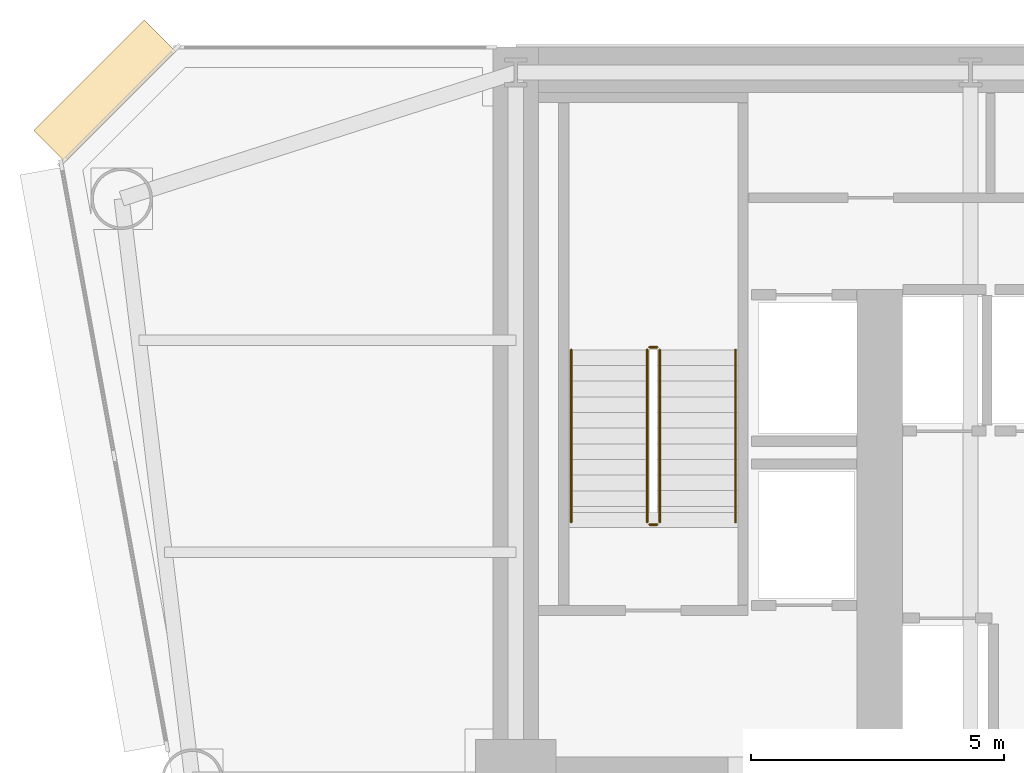
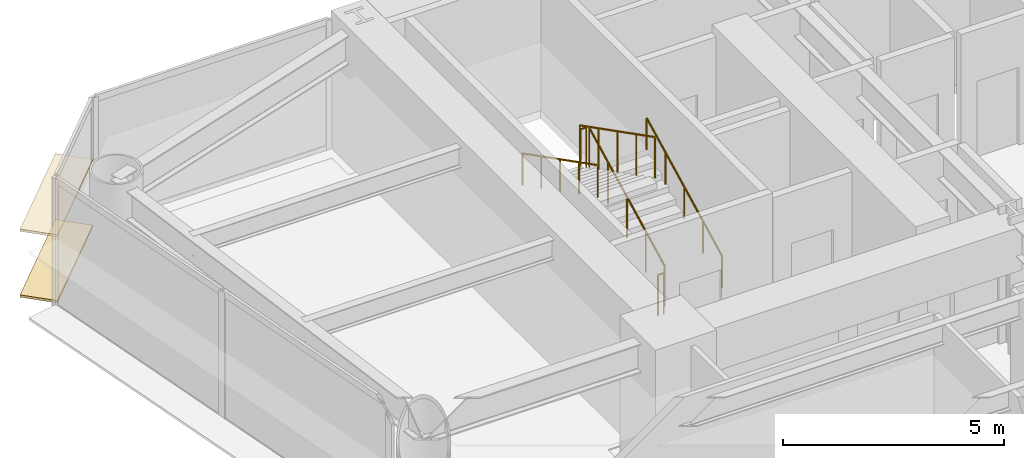
# One storey, part 12 of 14: 6 railings, 2 coverings.
"""IFC4 building model written with IfcOpenShell, lengths in metres."""

from ifc_helpers import new_model, si_unit, direction, frame, origin, origin_2d, place, context, subcontext, project, spatial, rectangle, circle, extrude, source, transform, mapped, material, layer, layer_set, type_object, element, save


model = new_model("IFC4")

# Units and contexts
model_context = context("Model", 3, precision=1e-05, world=origin(), true_north=direction((0.0, 1.0)))
body_context = subcontext(model_context, "Body", "Model", "MODEL_VIEW")
ifc_project = project(units=[si_unit("LENGTHUNIT", "METRE"), si_unit("AREAUNIT", "SQUARE_METRE"), si_unit("VOLUMEUNIT", "CUBIC_METRE"), si_unit("PLANEANGLEUNIT", "RADIAN"), si_unit("MASSUNIT", "GRAM", prefix="KILO")], contexts=[model_context])

# Site, building, storey
site_placement = place(None, origin())
site = spatial("IfcSite", under=ifc_project, at=site_placement, CompositionType="ELEMENT")
building_placement = place(site_placement, origin())
building = spatial("IfcBuilding", under=site, at=building_placement, Name="Vaeldorn Concourse Tower", CompositionType="ELEMENT")
storey_placement = place(building_placement, frame((0.0, 0.0, 22.60009765625)))
storey = spatial("IfcBuildingStorey", under=building, at=storey_placement, Name="L05", CompositionType="ELEMENT", Elevation=22.60009765625)

# Railings
ifc_material = material(Name="Anodised Bronze Aluminium", Category="aluminium")
railing_type_1 = type_object("IfcRailingType", Name="RL-STAIR-GUARD", PredefinedType="GUARDRAIL", material=ifc_material)
railing_1_placement = place(storey_placement, frame((16.85009765625, 41.60009765625, 0.158203125)))
element("IfcRailing", 1, at=railing_1_placement, inside=storey, type_object=railing_type_1, Name="L05 ST-1 stair guard 1", PredefinedType="GUARDRAIL", context=body_context, shape_type="SweptSolid", body=[
    extrude(circle(Radius=0.02392578125, at=origin_2d()), frame((0.0, 0.0, 1.1259765625), z_axis=(0.0, 0.890555807335, 0.454873997962), x_axis=(-1.0, 0.0, 0.0)), (0.0, 0.0, 1.0), 3.828857421875),
    extrude(circle(Radius=0.02099609375, at=origin_2d()), origin(), (0.0, 0.0, 1.0), 1.101806640625),
    extrude(circle(Radius=0.02099609375, at=origin_2d()), frame((0.0, 0.8525390625, 0.435546875)), (0.0, 0.0, 1.0), 1.101806640625),
    extrude(circle(Radius=0.02099609375, at=origin_2d()), frame((0.0, 1.705078125, 0.870849609375)), (0.0, 0.0, 1.0), 1.101806640625),
    extrude(circle(Radius=0.02099609375, at=origin_2d()), frame((0.0, 2.557373046875, 1.30615234375)), (0.0, 0.0, 1.0), 1.101806640625),
    extrude(circle(Radius=0.02099609375, at=origin_2d()), frame((0.0, 3.409912109375, 1.74169921875)), (0.0, 0.0, 1.0), 1.101806640625),
])
railing_2_placement = place(storey_placement, frame((16.800048828125, 45.06005859375, 1.89990234375)))
element("IfcRailing", 2, at=railing_2_placement, inside=storey, type_object=railing_type_1, Name="L05 ST-1 stair guard 2", PredefinedType="GUARDRAIL", context=body_context, shape_type="SweptSolid", body=[
    extrude(circle(Radius=0.02392578125, at=origin_2d()), frame((0.0, 0.0, 1.1259765625), z_axis=(-1.0, 0.0, 0.0), x_axis=(0.0, -1.0, 0.0)), (0.0, 0.0, 1.0), 0.150146484375),
    extrude(circle(Radius=0.02099609375, at=origin_2d()), origin(), (0.0, 0.0, 1.0), 1.101806640625),
    extrude(circle(Radius=0.02099609375, at=origin_2d()), frame((-0.150146484375, 0.0, 0.0)), (0.0, 0.0, 1.0), 1.101806640625),
])
railing_3_placement = place(storey_placement, frame((16.60009765625, 45.010009765625, 2.058349609375)))
element("IfcRailing", 3, at=railing_3_placement, inside=storey, type_object=railing_type_1, Name="L05 ST-1 stair guard 3", PredefinedType="GUARDRAIL", context=body_context, shape_type="SweptSolid", body=[
    extrude(circle(Radius=0.02392578125, at=origin_2d()), frame((0.0, 0.0, 1.1259765625), z_axis=(0.0, -0.890581635807, 0.454823427236), x_axis=(1.0, 0.0, 0.0)), (0.0, 0.0, 1.0), 3.828857421875),
    extrude(circle(Radius=0.02099609375, at=origin_2d()), origin(), (0.0, 0.0, 1.0), 1.101806640625),
    extrude(circle(Radius=0.02099609375, at=origin_2d()), frame((0.0, -0.8525390625, 0.435302734375)), (0.0, 0.0, 1.0), 1.101806640625),
    extrude(circle(Radius=0.02099609375, at=origin_2d()), frame((0.0, -1.705078125, 0.87060546875)), (0.0, 0.0, 1.0), 1.101806640625),
    extrude(circle(Radius=0.02099609375, at=origin_2d()), frame((0.0, -2.557373046875, 1.30615234375)), (0.0, 0.0, 1.0), 1.101806640625),
    extrude(circle(Radius=0.02099609375, at=origin_2d()), frame((0.0, -3.409912109375, 1.741455078125)), (0.0, 0.0, 1.0), 1.101806640625),
])
railing_4_placement = place(storey_placement, frame((16.800048828125, 41.550048828125, 0.0)))
element("IfcRailing", 4, at=railing_4_placement, inside=storey, type_object=railing_type_1, Name="L05 ST-1 stair guard 4", PredefinedType="GUARDRAIL", context=body_context, shape_type="SweptSolid", body=[
    extrude(circle(Radius=0.02392578125, at=origin_2d()), frame((0.0, 0.0, 1.1259765625), z_axis=(-1.0, 0.0, 0.0), x_axis=(0.0, -1.0, 0.0)), (0.0, 0.0, 1.0), 0.150146484375),
    extrude(circle(Radius=0.02099609375, at=origin_2d()), origin(), (0.0, 0.0, 1.0), 1.101806640625),
    extrude(circle(Radius=0.02099609375, at=origin_2d()), frame((-0.150146484375, 0.0, 0.0)), (0.0, 0.0, 1.0), 1.101806640625),
])
railing_type_2 = type_object("IfcRailingType", Name="RL-STAIR-HANDRAIL", PredefinedType="HANDRAIL", material=ifc_material)
railing_5_placement = place(storey_placement, frame((18.35009765625, 41.60009765625, 0.158203125)))
element("IfcRailing", 5, at=railing_5_placement, inside=storey, type_object=railing_type_2, Name="L05 ST-1 stair handrail 1", PredefinedType="HANDRAIL", context=body_context, shape_type="SweptSolid", body=[
    extrude(circle(Radius=0.02392578125, at=origin_2d()), frame((0.0, 0.0, 0.8759765625), z_axis=(0.0, 0.890555807335, 0.454873997962), x_axis=(-1.0, 0.0, 0.0)), (0.0, 0.0, 1.0), 3.828857421875),
    extrude(circle(Radius=0.02099609375, at=origin_2d()), origin(), (0.0, 0.0, 1.0), 0.851806640625),
    extrude(circle(Radius=0.02099609375, at=origin_2d()), frame((0.0, 0.8525390625, 0.435546875)), (0.0, 0.0, 1.0), 0.851806640625),
    extrude(circle(Radius=0.02099609375, at=origin_2d()), frame((0.0, 1.705078125, 0.870849609375)), (0.0, 0.0, 1.0), 0.851806640625),
    extrude(circle(Radius=0.02099609375, at=origin_2d()), frame((0.0, 2.557373046875, 1.30615234375)), (0.0, 0.0, 1.0), 0.851806640625),
    extrude(circle(Radius=0.02099609375, at=origin_2d()), frame((0.0, 3.409912109375, 1.74169921875)), (0.0, 0.0, 1.0), 0.851806640625),
])
railing_6_placement = place(storey_placement, frame((15.10009765625, 45.010009765625, 2.058349609375)))
element("IfcRailing", 6, at=railing_6_placement, inside=storey, type_object=railing_type_2, Name="L05 ST-1 stair handrail 2", PredefinedType="HANDRAIL", context=body_context, shape_type="SweptSolid", body=[
    extrude(circle(Radius=0.02392578125, at=origin_2d()), frame((0.0, 0.0, 0.8759765625), z_axis=(0.0, -0.890581635807, 0.454823427236), x_axis=(1.0, 0.0, 0.0)), (0.0, 0.0, 1.0), 3.828857421875),
    extrude(circle(Radius=0.02099609375, at=origin_2d()), origin(), (0.0, 0.0, 1.0), 0.851806640625),
    extrude(circle(Radius=0.02099609375, at=origin_2d()), frame((0.0, -0.8525390625, 0.435302734375)), (0.0, 0.0, 1.0), 0.851806640625),
    extrude(circle(Radius=0.02099609375, at=origin_2d()), frame((0.0, -1.705078125, 0.87060546875)), (0.0, 0.0, 1.0), 0.851806640625),
    extrude(circle(Radius=0.02099609375, at=origin_2d()), frame((0.0, -2.557373046875, 1.30615234375)), (0.0, 0.0, 1.0), 0.851806640625),
    extrude(circle(Radius=0.02099609375, at=origin_2d()), frame((0.0, -3.409912109375, 1.741455078125)), (0.0, 0.0, 1.0), 0.851806640625),
])

# Coverings
ifc_layer = layer(ifc_material, 0.06494140625)
ifc_layer_set = layer_set([ifc_layer], Name="Anodised Bronze Aluminium")
covering_type = type_object("IfcCoveringType", Name="SD-BRONZE-SUNSHADE", PredefinedType="USERDEFINED", material=ifc_layer_set)
shared_shape = source(origin(), body_context, "Body", "SweptSolid", [
    extrude(rectangle(XDim=3.0927734375, YDim=0.8798828125, at=origin_2d()), origin(), (0.0, 0.0, 1.0), 0.06494140625),
])
for number, where, z_axis, x_axis, name in (
    (7, (5.8671875, 50.1328125, 0.04736328125), (0.0, 0.0, 1.0), (-0.707106781187, -0.707106781187, 0.0), "Horizontal Bronze Sunshade L05-E10.1.1"),
    (8, (5.8671875, 50.1328125, 1.867431640625), (0.0, 0.0, 1.0), (-0.707106781187, -0.707106781187, 0.0), "Horizontal Bronze Sunshade L05-E10.1.2"),
):
    element("IfcCovering", number, at=place(storey_placement, frame(where, z_axis=z_axis, x_axis=x_axis)), inside=storey, type_object=covering_type, Name=name, ObjectType="SUNSHADE", PredefinedType="USERDEFINED", context=body_context, shape_type="MappedRepresentation", body=[
        mapped(shared_shape, transform((0.0, 0.0, 0.0), scale=1.0)),
    ])

save(model, "model.ifc")
